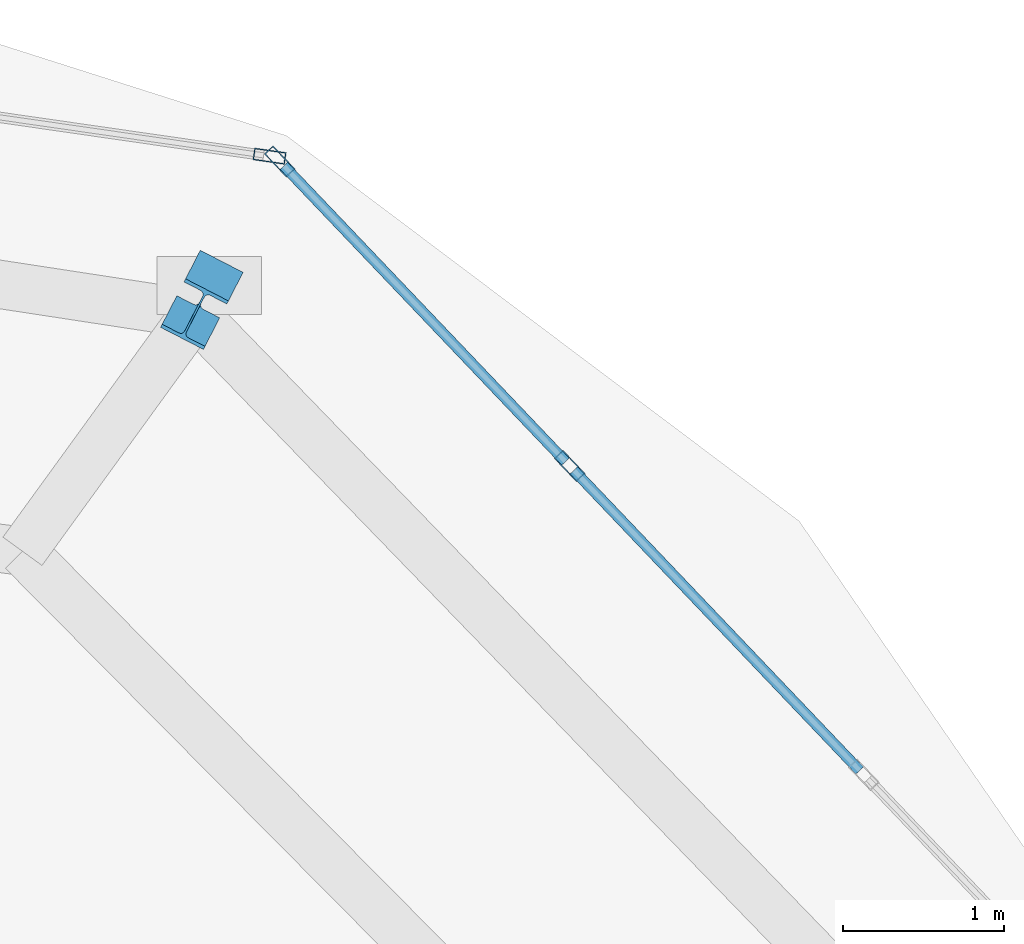
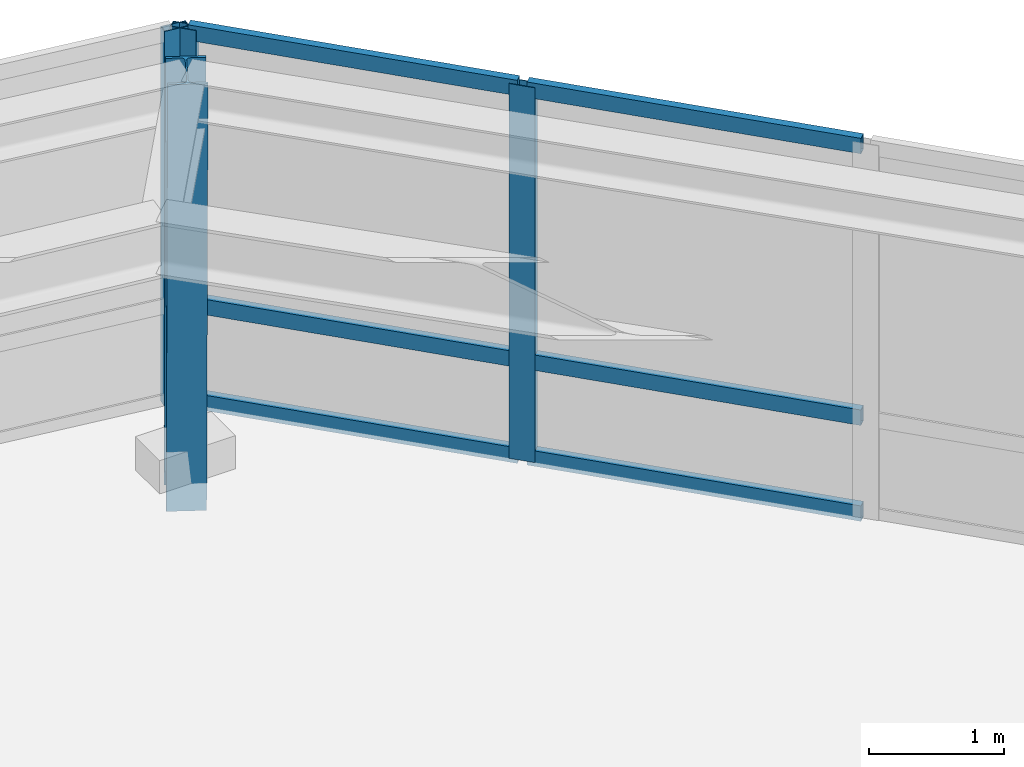
# One storey, part 10 of 14: 10 members, 2 elements without a shape of their own.
"""IFC4 building model written with IfcOpenShell, lengths in metres."""

from ifc_helpers import new_model, si_unit, direction, frame, origin, origin_2d, place, context, subcontext, project, spatial, hollow_rectangle, i_section, extrude, material, layer, layer_set, material_profile, profile_set, type_object, element, aggregate, save


model = new_model("IFC4")

# Units and contexts
model_context = context("Model", 3, precision=1e-05, world=origin(), true_north=direction((0.0, 1.0)))
body_context = subcontext(model_context, "Body", "Model", "MODEL_VIEW")
ifc_project = project(units=[si_unit("LENGTHUNIT", "METRE"), si_unit("AREAUNIT", "SQUARE_METRE"), si_unit("VOLUMEUNIT", "CUBIC_METRE"), si_unit("PLANEANGLEUNIT", "RADIAN"), si_unit("MASSUNIT", "GRAM", prefix="KILO"), si_unit("THERMODYNAMICTEMPERATUREUNIT", "KELVIN"), si_unit("POWERUNIT", "WATT")], contexts=[model_context])

# Site, building, storey
site_placement = place(None, origin())
site = spatial("IfcSite", under=ifc_project, at=site_placement, CompositionType="ELEMENT")
building_placement = place(site_placement, origin())
building = spatial("IfcBuilding", under=site, at=building_placement, Name="Ocrelia Relay Tower", CompositionType="ELEMENT")
storey_placement = place(building_placement, frame((0.0, 0.0, 288.0)))
storey = spatial("IfcBuildingStorey", under=building, at=storey_placement, Name="L72", CompositionType="ELEMENT", Elevation=288.0)

# Curtain wall, member
ifc_material_1 = material(Name="Aluminium and solar-control low-E glass", Category="aluminium")
ifc_layer = layer(ifc_material_1, 0.179931640625, Name="Aluminium and solar-control low-E glass")
ifc_layer_set = layer_set([ifc_layer], Name="Aluminium and solar-control low-E glass")
curtain_wall_type = type_object("IfcCurtainWallType", Name="CW-SYS-CROWN-PT", PredefinedType="NOTDEFINED", material=ifc_layer_set)
curtain_wall_1_placement = place(storey_placement, origin())
curtain_wall_1 = element("IfcCurtainWall", 1, at=curtain_wall_1_placement, inside=storey, type_object=curtain_wall_type, Name="L72 Faceted Glass-Point Crown Curtain Wall 01", PredefinedType="NOTDEFINED")
ifc_material_2 = material(Name="Anodised bronze aluminium", Category="aluminium")
ifc_material_profile_1 = material_profile(ifc_material_2, hollow_rectangle(XDim=0.074951171875, YDim=0.199951171875, WallThickness=0.006103515625, at=origin_2d()), Name="CW-MUL-200x75")
ifc_profile_set_1 = profile_set([ifc_material_profile_1], Name="Anodised bronze aluminium")
member_type_1 = type_object("IfcMemberType", Name="CW-SYS-CROWN-PT-MUL", PredefinedType="MULLION", material=ifc_profile_set_1)
member_1_placement = place(storey_placement, frame((42.883544921875, 43.2890625, 0.0), z_axis=(0.0, 0.0, 1.0), x_axis=(-0.142627266665, -0.989776471131, 0.0)))
member_1 = element("IfcMember", 2, at=member_1_placement, type_object=member_type_1, Name="CW-CR mullion 1", PredefinedType="MULLION", context=body_context, shape_type="SweptSolid", body=[
    extrude(hollow_rectangle(XDim=0.074951171875, YDim=0.199951171875, WallThickness=0.006103515625, at=origin_2d()), origin(), (0.0, 0.0, 1.0), 3.389892578125),
])
aggregate(curtain_wall_1, [member_1])

# Curtain wall, members
curtain_wall_2_placement = place(storey_placement, origin())
curtain_wall_2 = element("IfcCurtainWall", 3, at=curtain_wall_2_placement, inside=storey, type_object=curtain_wall_type, Name="L72 Faceted Glass-Point Crown Curtain Wall 12", PredefinedType="NOTDEFINED")
member_2_placement = place(storey_placement, frame((44.751220703125, 41.361328125, 0.0), z_axis=(0.0, 0.0, 1.0), x_axis=(-0.724174661625, -0.689616603237, 0.0)))
member_2 = element("IfcMember", 4, at=member_2_placement, type_object=member_type_1, Name="CW-CR mullion 3", PredefinedType="MULLION", context=body_context, shape_type="SweptSolid", body=[
    extrude(hollow_rectangle(XDim=0.074951171875, YDim=0.199951171875, WallThickness=0.006103515625, at=origin_2d()), origin(), (0.0, 0.0, 1.0), 3.389892578125),
])
member_3_placement = place(storey_placement, frame((42.946533203125, 43.25634765625, 0.0), z_axis=(0.0, 0.0, 1.0), x_axis=(-0.724174661625, -0.689616603237, 0.0)))
member_3 = element("IfcMember", 5, at=member_3_placement, type_object=member_type_1, Name="CW-CR mullion 4", PredefinedType="MULLION", context=body_context, shape_type="SweptSolid", body=[
    extrude(hollow_rectangle(XDim=0.074951171875, YDim=0.199951171875, WallThickness=0.006103515625, at=origin_2d()), origin(), (0.0, 0.0, 1.0), 3.389892578125),
])
ifc_material_profile_2 = material_profile(ifc_material_2, hollow_rectangle(XDim=0.06494140625, YDim=0.139892578125, WallThickness=0.0048828125, at=origin_2d()), Name="CW-TRN-140x65")
ifc_profile_set_2 = profile_set([ifc_material_profile_2], Name="Anodised bronze aluminium")
member_type_2 = type_object("IfcMemberType", Name="CW-SYS-CROWN-PT-TRN", PredefinedType="USERDEFINED", material=ifc_profile_set_2)
member_4_placement = place(storey_placement, frame((46.555908203125, 39.466064453125, 0.032470703125), z_axis=(-0.689574816584, 0.724214451894, 0.0), x_axis=(-0.724214451894, -0.689574816584, 0.0)))
member_4 = element("IfcMember", 6, at=member_4_placement, type_object=member_type_2, Name="CW-CR transom 2.1", ObjectType="TRANSOM", PredefinedType="USERDEFINED", context=body_context, shape_type="SweptSolid", body=[
    extrude(hollow_rectangle(XDim=0.06494140625, YDim=0.139892578125, WallThickness=0.0048828125, at=origin_2d()), origin(), (0.0, 0.0, 1.0), 2.57958984375),
])
member_5_placement = place(storey_placement, frame((46.555908203125, 39.466064453125, 0.89990234375), z_axis=(-0.689574816584, 0.724214451894, 0.0), x_axis=(-0.724214451894, -0.689574816584, 0.0)))
member_5 = element("IfcMember", 7, at=member_5_placement, type_object=member_type_2, Name="CW-CR transom 2.2", ObjectType="TRANSOM", PredefinedType="USERDEFINED", context=body_context, shape_type="SweptSolid", body=[
    extrude(hollow_rectangle(XDim=0.06494140625, YDim=0.139892578125, WallThickness=0.0048828125, at=origin_2d()), origin(), (0.0, 0.0, 1.0), 2.57958984375),
])
member_6_placement = place(storey_placement, frame((46.555908203125, 39.466064453125, 3.357421875), z_axis=(-0.689574816584, 0.724214451894, 0.0), x_axis=(-0.724214451894, -0.689574816584, 0.0)))
member_6 = element("IfcMember", 8, at=member_6_placement, type_object=member_type_2, Name="CW-CR transom 2.3", ObjectType="TRANSOM", PredefinedType="USERDEFINED", context=body_context, shape_type="SweptSolid", body=[
    extrude(hollow_rectangle(XDim=0.06494140625, YDim=0.139892578125, WallThickness=0.0048828125, at=origin_2d()), origin(), (0.0, 0.0, 1.0), 2.57958984375),
])
member_7_placement = place(storey_placement, frame((44.725341796875, 41.388427734375, 0.032470703125), z_axis=(-0.689607205217, 0.72418361105, 0.0), x_axis=(-0.72418361105, -0.689607205217, 0.0)))
member_7 = element("IfcMember", 9, at=member_7_placement, type_object=member_type_2, Name="CW-CR transom 3.1", ObjectType="TRANSOM", PredefinedType="USERDEFINED", context=body_context, shape_type="SweptSolid", body=[
    extrude(hollow_rectangle(XDim=0.06494140625, YDim=0.139892578125, WallThickness=0.0048828125, at=origin_2d()), origin(), (0.0, 0.0, 1.0), 2.5419921875),
])
member_8_placement = place(storey_placement, frame((44.725341796875, 41.388427734375, 0.89990234375), z_axis=(-0.689607205217, 0.72418361105, 0.0), x_axis=(-0.72418361105, -0.689607205217, 0.0)))
member_8 = element("IfcMember", 10, at=member_8_placement, type_object=member_type_2, Name="CW-CR transom 3.2", ObjectType="TRANSOM", PredefinedType="USERDEFINED", context=body_context, shape_type="SweptSolid", body=[
    extrude(hollow_rectangle(XDim=0.06494140625, YDim=0.139892578125, WallThickness=0.0048828125, at=origin_2d()), origin(), (0.0, 0.0, 1.0), 2.5419921875),
])
member_9_placement = place(storey_placement, frame((44.725341796875, 41.388427734375, 3.357421875), z_axis=(-0.689607205217, 0.72418361105, 0.0), x_axis=(-0.72418361105, -0.689607205217, 0.0)))
member_9 = element("IfcMember", 11, at=member_9_placement, type_object=member_type_2, Name="CW-CR transom 3.3", ObjectType="TRANSOM", PredefinedType="USERDEFINED", context=body_context, shape_type="SweptSolid", body=[
    extrude(hollow_rectangle(XDim=0.06494140625, YDim=0.139892578125, WallThickness=0.0048828125, at=origin_2d()), origin(), (0.0, 0.0, 1.0), 2.5419921875),
])
aggregate(curtain_wall_2, [member_2, member_3, member_4, member_5, member_6, member_7, member_8, member_9])

# Member
ifc_material_3 = material(Name="Steel S355", Category="steel")
ifc_material_profile_3 = material_profile(ifc_material_3, i_section(OverallWidth=0.300048828125, OverallDepth=0.340087890625, WebThickness=0.011962890625, FlangeThickness=0.021484375, FilletRadius=0.027099609375, at=origin_2d()), Name="HEB 340")
ifc_profile_set_3 = profile_set([ifc_material_profile_3], Name="Steel S355")
member_type_3 = type_object("IfcMemberType", Name="MB-CROWN-RIB", PredefinedType="STRUT", material=ifc_profile_set_3)
member_10_placement = place(storey_placement, frame((42.5078125, 42.48388671875, -0.25), z_axis=(-0.022859647269, -0.044378195231, 0.998753228938), x_axis=(0.888989620803, -0.45792734588, 0.0)))
element("IfcMember", 12, at=member_10_placement, inside=storey, type_object=member_type_3, Name="L72 Crown Faceted Structural Strut Rib CR01", PredefinedType="STRUT", context=body_context, shape_type="SweptSolid", body=[
    extrude(i_section(OverallWidth=0.300048828125, OverallDepth=0.340087890625, WebThickness=0.011962890625, FlangeThickness=0.021484375, FilletRadius=0.027099609375, at=origin_2d()), origin(), (0.0, 0.0, 1.0), 4.0048828125),
])

save(model, "model.ifc")
